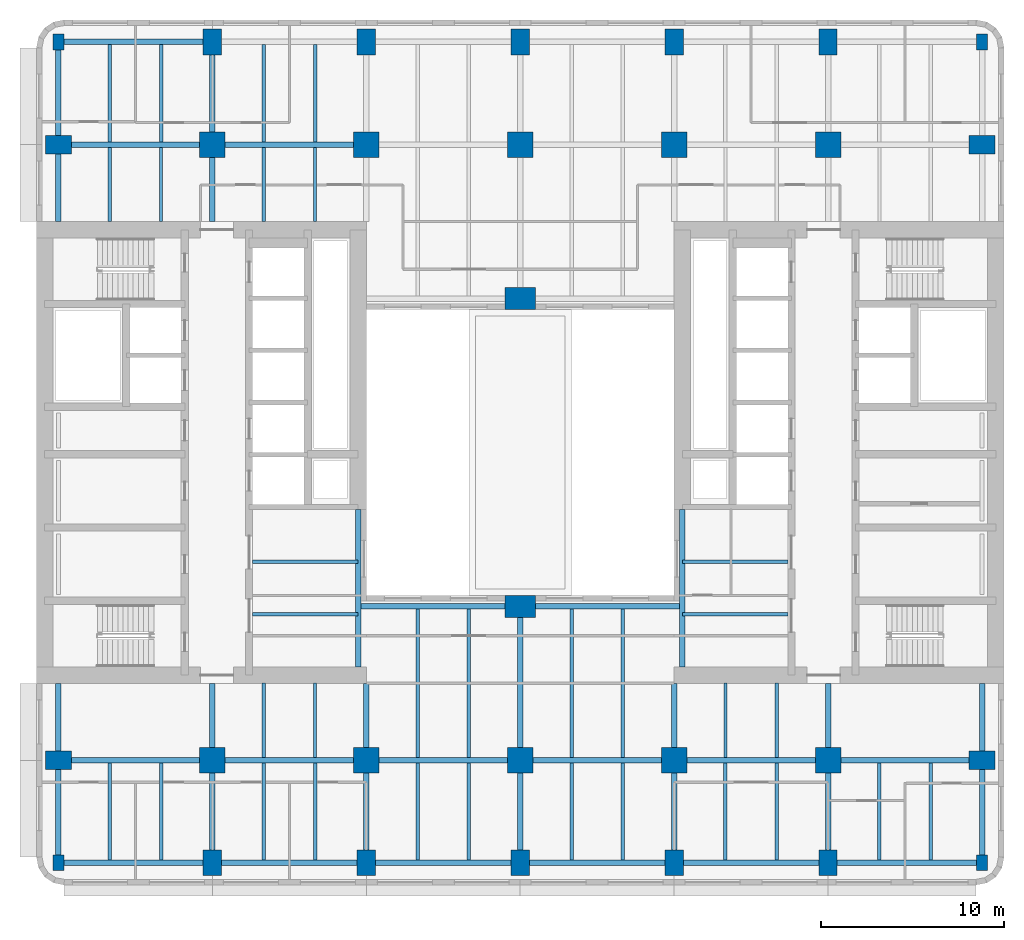
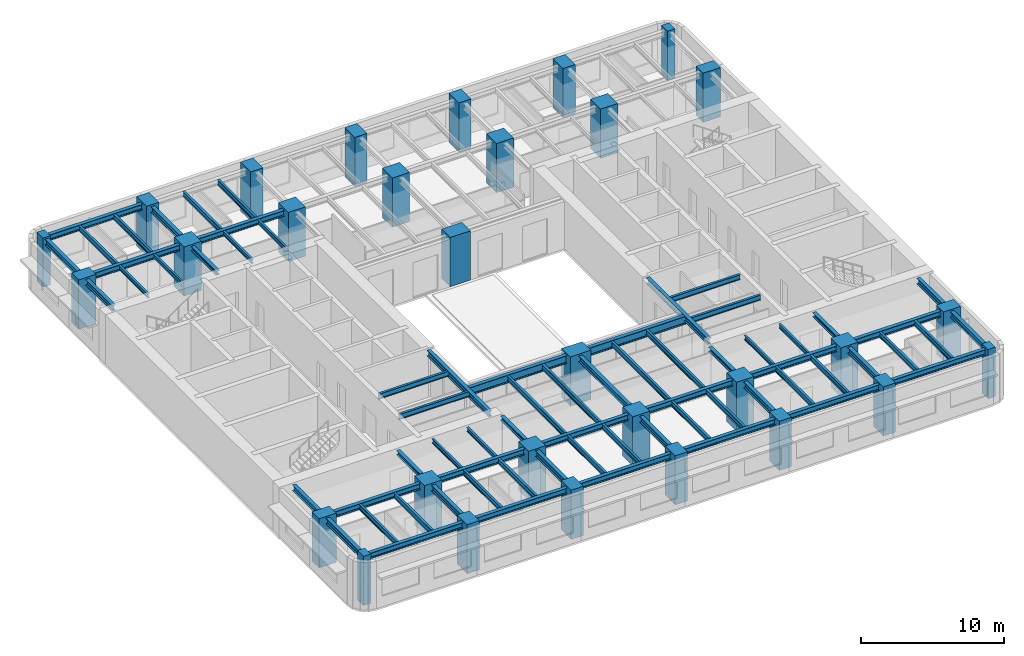
# One storey, part 1 of 14: 69 beams, 30 columns.
"""IFC4 building model written with IfcOpenShell, lengths in metres."""

from ifc_helpers import new_model, si_unit, direction, frame, origin, origin_2d, place, context, subcontext, project, spatial, rectangle, i_section, extrude, material, material_profile, profile_set, type_object, element, save


model = new_model("IFC4")

# Units and contexts
model_context = context("Model", 3, precision=1e-05, world=origin(), true_north=direction((0.0, 1.0)))
body_context = subcontext(model_context, "Body", "Model", "MODEL_VIEW")
ifc_project = project(units=[si_unit("LENGTHUNIT", "METRE"), si_unit("AREAUNIT", "SQUARE_METRE"), si_unit("VOLUMEUNIT", "CUBIC_METRE"), si_unit("PLANEANGLEUNIT", "RADIAN"), si_unit("MASSUNIT", "GRAM", prefix="KILO")], contexts=[model_context])

# Site, building, storey
site_placement = place(None, origin())
site = spatial("IfcSite", under=ifc_project, at=site_placement, CompositionType="ELEMENT")
building_placement = place(site_placement, origin())
building = spatial("IfcBuilding", under=site, at=building_placement, Name="Claustro Exchange Tower", CompositionType="ELEMENT")
storey_placement = place(building_placement, frame((0.0, 0.0, 100.800048828125)))
storey = spatial("IfcBuildingStorey", under=building, at=storey_placement, Name="L22", CompositionType="ELEMENT", Elevation=100.800048828125)

# Columns
ifc_material_1 = material(Name="Concrete HA-70 (C70/85)", Category="concrete")
ifc_material_profile_1 = material_profile(ifc_material_1, rectangle(XDim=1.39990234375, YDim=1.39990234375, at=origin_2d()), Name="RC 1400x1400")
ifc_profile_set_1 = profile_set([ifc_material_profile_1], Name="Concrete HA-70 (C70/85)")
column_type_1 = type_object("IfcColumnType", Name="C0 RC 1400x1400 HA-70 column", PredefinedType="COLUMN", material=ifc_profile_set_1)
for number, where, z_axis, x_axis, name in (
    (1, (8.39990234375, 8.39990234375, 0.0), (0.0, 0.0, 1.0), (1.0, 0.0, 0.0), "Column C0 2/B L22"),
    (2, (8.39990234375, 42.0, 0.0), (0.0, 0.0, 1.0), (1.0, 0.0, 0.0), "Column C0 2/F L22"),
    (3, (16.800048828125, 8.39990234375, 0.0), (0.0, 0.0, 1.0), (1.0, 0.0, 0.0), "Column C0 3/B L22"),
    (4, (16.800048828125, 42.0, 0.0), (0.0, 0.0, 1.0), (1.0, 0.0, 0.0), "Column C0 3/F L22"),
    (5, (25.199951171875, 8.39990234375, 0.0), (0.0, 0.0, 1.0), (1.0, 0.0, 0.0), "Column C0 4/B L22"),
    (6, (25.199951171875, 42.0, 0.0), (0.0, 0.0, 1.0), (1.0, 0.0, 0.0), "Column C0 4/F L22"),
    (7, (33.60009765625, 8.39990234375, 0.0), (0.0, 0.0, 1.0), (1.0, 0.0, 0.0), "Column C0 5/B L22"),
    (8, (33.60009765625, 42.0, 0.0), (0.0, 0.0, 1.0), (1.0, 0.0, 0.0), "Column C0 5/F L22"),
    (9, (42.0, 8.39990234375, 0.0), (0.0, 0.0, 1.0), (1.0, 0.0, 0.0), "Column C0 6/B L22"),
    (10, (42.0, 42.0, 0.0), (0.0, 0.0, 1.0), (1.0, 0.0, 0.0), "Column C0 6/F L22"),
):
    element("IfcColumn", number, at=place(storey_placement, frame(where, z_axis=z_axis, x_axis=x_axis)), inside=storey, type_object=column_type_1, Name=name, PredefinedType="COLUMN", context=body_context, shape_type="SweptSolid", body=[
        extrude(rectangle(XDim=1.39990234375, YDim=1.39990234375, at=origin_2d()), origin(), (0.0, 0.0, 1.0), 4.199951171875),
    ])
ifc_material_2 = material(Name="Concrete HA-70 (C70/85)", Category="concrete")
ifc_material_profile_2 = material_profile(ifc_material_2, rectangle(XDim=1.0, YDim=1.39990234375, at=origin_2d()), Name="RC 1000x1400")
ifc_profile_set_2 = profile_set([ifc_material_profile_2], Name="Concrete HA-70 (C70/85)")
column_type_2 = type_object("IfcColumnType", Name="C22 RC 1000x1400 HA-70 perimeter column", PredefinedType="COLUMN", material=ifc_profile_set_2)
for number, where, z_axis, x_axis, name in (
    (11, (0.0, 8.39990234375, 0.0), (0.0, 0.0, 1.0), (0.0, 1.0, 0.0), "Column C22 1/B L22"),
    (12, (0.0, 42.0, 0.0), (0.0, 0.0, 1.0), (0.0, 1.0, 0.0), "Column C22 1/F L22"),
    (13, (8.39990234375, 2.800048828125, 0.0), (0.0, 0.0, 1.0), (1.0, 0.0, 0.0), "Column C22 2/A+2800 L22"),
    (14, (8.39990234375, 47.60009765625, 0.0), (0.0, 0.0, 1.0), (1.0, 0.0, 0.0), "Column C22 2/F+5600 L22"),
    (15, (16.800048828125, 2.800048828125, 0.0), (0.0, 0.0, 1.0), (1.0, 0.0, 0.0), "Column C22 3/A+2800 L22"),
    (16, (16.800048828125, 47.60009765625, 0.0), (0.0, 0.0, 1.0), (1.0, 0.0, 0.0), "Column C22 3/F+5600 L22"),
    (17, (25.199951171875, 2.800048828125, 0.0), (0.0, 0.0, 1.0), (1.0, 0.0, 0.0), "Column C22 4/A+2800 L22"),
    (18, (25.199951171875, 47.60009765625, 0.0), (0.0, 0.0, 1.0), (1.0, 0.0, 0.0), "Column C22 4/F+5600 L22"),
    (19, (33.60009765625, 2.800048828125, 0.0), (0.0, 0.0, 1.0), (1.0, 0.0, 0.0), "Column C22 5/A+2800 L22"),
    (20, (33.60009765625, 47.60009765625, 0.0), (0.0, 0.0, 1.0), (1.0, 0.0, 0.0), "Column C22 5/F+5600 L22"),
    (21, (42.0, 2.800048828125, 0.0), (0.0, 0.0, 1.0), (1.0, 0.0, 0.0), "Column C22 6/A+2800 L22"),
    (22, (42.0, 47.60009765625, 0.0), (0.0, 0.0, 1.0), (1.0, 0.0, 0.0), "Column C22 6/F+5600 L22"),
    (23, (50.39990234375, 8.39990234375, 0.0), (0.0, 0.0, 1.0), (0.0, 1.0, 0.0), "Column C22 7/B L22"),
    (24, (50.39990234375, 42.0, 0.0), (0.0, 0.0, 1.0), (0.0, 1.0, 0.0), "Column C22 7/F L22"),
):
    element("IfcColumn", number, at=place(storey_placement, frame(where, z_axis=z_axis, x_axis=x_axis)), inside=storey, type_object=column_type_2, Name=name, PredefinedType="COLUMN", context=body_context, shape_type="SweptSolid", body=[
        extrude(rectangle(XDim=1.0, YDim=1.39990234375, at=origin_2d()), origin(), (0.0, 0.0, 1.0), 4.199951171875),
    ])
ifc_material_3 = material(Name="Concrete HA-50 (C50/60)", Category="concrete")
ifc_material_profile_3 = material_profile(ifc_material_3, rectangle(XDim=0.60009765625, YDim=0.85009765625, at=origin_2d()), Name="RC 600x850")
ifc_profile_set_3 = profile_set([ifc_material_profile_3], Name="Concrete HA-50 (C50/60)")
column_type_3 = type_object("IfcColumnType", Name="C25 RC 600x850 HA-50 corner column", PredefinedType="COLUMN", material=ifc_profile_set_3)
for number, where, z_axis, x_axis, name in (
    (25, (0.0, 2.800048828125, 0.0), (0.0, 0.0, 1.0), (1.0, 0.0, 0.0), "Column C25 1/A+2800 L22"),
    (26, (0.0, 47.60009765625, 0.0), (0.0, 0.0, 1.0), (1.0, 0.0, 0.0), "Column C25 1/F+5600 L22"),
    (27, (50.39990234375, 2.800048828125, 0.0), (0.0, 0.0, 1.0), (1.0, 0.0, 0.0), "Column C25 7/A+2800 L22"),
    (28, (50.39990234375, 47.60009765625, 0.0), (0.0, 0.0, 1.0), (1.0, 0.0, 0.0), "Column C25 7/F+5600 L22"),
):
    element("IfcColumn", number, at=place(storey_placement, frame(where, z_axis=z_axis, x_axis=x_axis)), inside=storey, type_object=column_type_3, Name=name, PredefinedType="COLUMN", context=body_context, shape_type="SweptSolid", body=[
        extrude(rectangle(XDim=0.60009765625, YDim=0.85009765625, at=origin_2d()), origin(), (0.0, 0.0, 1.0), 4.199951171875),
    ])
ifc_material_4 = material(Name="Concrete HA-70 (C70/85)", Category="concrete")
ifc_material_profile_4 = material_profile(ifc_material_4, rectangle(XDim=1.64990234375, YDim=1.199951171875, at=origin_2d()), Name="RC 1650x1200")
ifc_profile_set_4 = profile_set([ifc_material_profile_4], Name="Concrete HA-70 (C70/85)")
column_type_4 = type_object("IfcColumnType", Name="C32 RC 1650x1200 HA-70 light well column", PredefinedType="COLUMN", material=ifc_profile_set_4)
for number, where, z_axis, x_axis, name in (
    (29, (25.199951171875, 16.800048828125, 0.0), (0.0, 0.0, 1.0), (1.0, 0.0, 0.0), "Column C32 4/C L22"),
    (30, (25.199951171875, 33.60009765625, 0.0), (0.0, 0.0, 1.0), (1.0, 0.0, 0.0), "Column C32 4/E L22"),
):
    element("IfcColumn", number, at=place(storey_placement, frame(where, z_axis=z_axis, x_axis=x_axis)), inside=storey, type_object=column_type_4, Name=name, PredefinedType="COLUMN", context=body_context, shape_type="SweptSolid", body=[
        extrude(rectangle(XDim=1.64990234375, YDim=1.199951171875, at=origin_2d()), origin(), (0.0, 0.0, 1.0), 4.199951171875),
    ])

# Beams
ifc_material_5 = material(Name="Steel S355", Category="steel")
ifc_material_profile_5 = material_profile(ifc_material_5, i_section(OverallWidth=0.300048828125, OverallDepth=0.68994140625, WebThickness=0.014404296875, FlangeThickness=0.027099609375, FilletRadius=0.027099609375, at=origin_2d()), Name="HE 700 A")
ifc_profile_set_5 = profile_set([ifc_material_profile_5], Name="Steel S355")
beam_type_1 = type_object("IfcBeamType", Name="B13 HE 700 A light well edge girder", PredefinedType="BEAM", material=ifc_profile_set_5)
beam_1_placement = place(storey_placement, frame((16.35009765625, 16.800048828125, 3.704833984375), z_axis=(1.0, 0.0, 0.0), x_axis=(0.0, 1.0, 0.0)))
element("IfcBeam", 31, at=beam_1_placement, inside=storey, type_object=beam_type_1, Name="Beam B13 L23", PredefinedType="BEAM", context=body_context, shape_type="SweptSolid", body=[
    extrude(i_section(OverallWidth=0.300048828125, OverallDepth=0.68994140625, WebThickness=0.014404296875, FlangeThickness=0.027099609375, FilletRadius=0.027099609375, at=origin_2d()), origin(), (0.0, 0.0, 1.0), 8.849853515625),
])
beam_2_placement = place(storey_placement, frame((25.199951171875, 16.800048828125, 3.704833984375), z_axis=(1.0, 0.0, 0.0), x_axis=(0.0, 1.0, 0.0)))
element("IfcBeam", 32, at=beam_2_placement, inside=storey, type_object=beam_type_1, Name="Beam B13 L23", PredefinedType="BEAM", context=body_context, shape_type="SweptSolid", body=[
    extrude(i_section(OverallWidth=0.300048828125, OverallDepth=0.68994140625, WebThickness=0.014404296875, FlangeThickness=0.027099609375, FilletRadius=0.027099609375, at=origin_2d()), origin(), (0.0, 0.0, 1.0), 8.85009765625),
])
ifc_material_6 = material(Name="Steel S355", Category="steel")
ifc_material_profile_6 = material_profile(ifc_material_6, i_section(OverallWidth=0.169921875, OverallDepth=0.360107421875, WebThickness=0.008056640625, FlangeThickness=0.0126953125, FilletRadius=0.01806640625, at=origin_2d()), Name="IPE 360")
ifc_profile_set_6 = profile_set([ifc_material_profile_6], Name="Steel S355")
beam_type_2 = type_object("IfcBeamType", Name="B16 IPE 360 short-span beam", PredefinedType="BEAM", material=ifc_profile_set_6)
for number, where, z_axis, x_axis, name in (
    (33, (2.800048828125, 37.7900390625, 3.869873046875), (0.0, 1.0, 0.0), (-1.0, 0.0, 0.0), "Beam B16 L23"),
    (34, (5.60009765625, 37.7900390625, 3.869873046875), (0.0, 1.0, 0.0), (-1.0, 0.0, 0.0), "Beam B16 L23"),
    (35, (11.199951171875, 8.550048828125, 3.869873046875), (0.0, 1.0, 0.0), (-1.0, 0.0, 0.0), "Beam B16 L23"),
    (36, (14.0, 8.550048828125, 3.869873046875), (0.0, 1.0, 0.0), (-1.0, 0.0, 0.0), "Beam B16 L23"),
    (37, (11.199951171875, 37.7900390625, 3.869873046875), (0.0, 1.0, 0.0), (-1.0, 0.0, 0.0), "Beam B16 L23"),
    (38, (14.0, 37.7900390625, 3.869873046875), (0.0, 1.0, 0.0), (-1.0, 0.0, 0.0), "Beam B16 L23"),
    (39, (36.39990234375, 8.550048828125, 3.869873046875), (0.0, 1.0, 0.0), (-1.0, 0.0, 0.0), "Beam B16 L23"),
    (40, (39.199951171875, 8.550048828125, 3.869873046875), (0.0, 1.0, 0.0), (-1.0, 0.0, 0.0), "Beam B16 L23"),
):
    element("IfcBeam", number, at=place(storey_placement, frame(where, z_axis=z_axis, x_axis=x_axis)), inside=storey, type_object=beam_type_2, Name=name, PredefinedType="BEAM", context=body_context, shape_type="SweptSolid", body=[
        extrude(i_section(OverallWidth=0.169921875, OverallDepth=0.360107421875, WebThickness=0.008056640625, FlangeThickness=0.0126953125, FilletRadius=0.01806640625, at=origin_2d()), origin(), (0.0, 0.0, 1.0), 4.06005859375),
    ])
ifc_material_7 = material(Name="Steel S355", Category="steel")
ifc_material_profile_7 = material_profile(ifc_material_7, i_section(OverallWidth=0.300048828125, OverallDepth=0.360107421875, WebThickness=0.012451171875, FlangeThickness=0.0224609375, FilletRadius=0.027099609375, at=origin_2d()), Name="HE 360 B")
ifc_profile_set_7 = profile_set([ifc_material_profile_7], Name="Steel S355")
beam_type_3 = type_object("IfcBeamType", Name="B29 HE 360 B column to core link beam", PredefinedType="BEAM", material=ifc_profile_set_7)
beam_3_placement = place(storey_placement, frame((8.39990234375, 8.39990234375, 3.869873046875), z_axis=(0.0, 1.0, 0.0), x_axis=(-1.0, 0.0, 0.0)))
element("IfcBeam", 41, at=beam_3_placement, inside=storey, type_object=beam_type_3, Name="Beam B29 L23", PredefinedType="BEAM", context=body_context, shape_type="SweptSolid", body=[
    extrude(i_section(OverallWidth=0.300048828125, OverallDepth=0.360107421875, WebThickness=0.012451171875, FlangeThickness=0.0224609375, FilletRadius=0.027099609375, at=origin_2d()), origin(), (0.0, 0.0, 1.0), 4.2001953125),
])
beam_4_placement = place(storey_placement, frame((8.39990234375, 37.800048828125, 3.869873046875), z_axis=(0.0, 1.0, 0.0), x_axis=(-1.0, 0.0, 0.0)))
element("IfcBeam", 42, at=beam_4_placement, inside=storey, type_object=beam_type_3, Name="Beam B29 L23", PredefinedType="BEAM", context=body_context, shape_type="SweptSolid", body=[
    extrude(i_section(OverallWidth=0.300048828125, OverallDepth=0.360107421875, WebThickness=0.012451171875, FlangeThickness=0.0224609375, FilletRadius=0.027099609375, at=origin_2d()), origin(), (0.0, 0.0, 1.0), 4.199951171875),
])
for number, where, z_axis, x_axis, name in (
    (43, (16.800048828125, 8.39990234375, 3.869873046875), (0.0, 1.0, 0.0), (-1.0, 0.0, 0.0), "Beam B29 L23"),
    (44, (33.60009765625, 8.39990234375, 3.869873046875), (0.0, 1.0, 0.0), (-1.0, 0.0, 0.0), "Beam B29 L23"),
    (45, (42.0, 8.39990234375, 3.869873046875), (0.0, 1.0, 0.0), (-1.0, 0.0, 0.0), "Beam B29 L23"),
):
    element("IfcBeam", number, at=place(storey_placement, frame(where, z_axis=z_axis, x_axis=x_axis)), inside=storey, type_object=beam_type_3, Name=name, PredefinedType="BEAM", context=body_context, shape_type="SweptSolid", body=[
        extrude(i_section(OverallWidth=0.300048828125, OverallDepth=0.360107421875, WebThickness=0.012451171875, FlangeThickness=0.0224609375, FilletRadius=0.027099609375, at=origin_2d()), origin(), (0.0, 0.0, 1.0), 4.2001953125),
    ])
ifc_material_8 = material(Name="Steel S355", Category="steel")
ifc_material_profile_8 = material_profile(ifc_material_8, i_section(OverallWidth=0.300048828125, OverallDepth=0.5, WebThickness=0.014404296875, FlangeThickness=0.028076171875, FilletRadius=0.027099609375, at=origin_2d()), Name="HE 500 B")
ifc_profile_set_8 = profile_set([ifc_material_profile_8], Name="Steel S355")
beam_type_4 = type_object("IfcBeamType", Name="B7 HE 500 B floor girder", PredefinedType="BEAM", material=ifc_profile_set_8)
beam_5_placement = place(storey_placement, frame((8.39990234375, 2.800048828125, 3.800048828125), z_axis=(0.0, 1.0, 0.0), x_axis=(-1.0, 0.0, 0.0)))
element("IfcBeam", 46, at=beam_5_placement, inside=storey, type_object=beam_type_4, Name="Beam B7 L23", PredefinedType="BEAM", context=body_context, shape_type="SweptSolid", body=[
    extrude(i_section(OverallWidth=0.300048828125, OverallDepth=0.5, WebThickness=0.014404296875, FlangeThickness=0.028076171875, FilletRadius=0.027099609375, at=origin_2d()), origin(), (0.0, 0.0, 1.0), 5.599853515625),
])
beam_6_placement = place(storey_placement, frame((8.39990234375, 42.0, 3.800048828125), z_axis=(0.0, 1.0, 0.0), x_axis=(-1.0, 0.0, 0.0)))
element("IfcBeam", 47, at=beam_6_placement, inside=storey, type_object=beam_type_4, Name="Beam B7 L23", PredefinedType="BEAM", context=body_context, shape_type="SweptSolid", body=[
    extrude(i_section(OverallWidth=0.300048828125, OverallDepth=0.5, WebThickness=0.014404296875, FlangeThickness=0.028076171875, FilletRadius=0.027099609375, at=origin_2d()), origin(), (0.0, 0.0, 1.0), 5.60009765625),
])
for number, where, z_axis, x_axis, name in (
    (48, (16.800048828125, 2.800048828125, 3.800048828125), (0.0, 1.0, 0.0), (-1.0, 0.0, 0.0), "Beam B7 L23"),
    (49, (25.199951171875, 2.800048828125, 3.800048828125), (0.0, 1.0, 0.0), (-1.0, 0.0, 0.0), "Beam B7 L23"),
):
    element("IfcBeam", number, at=place(storey_placement, frame(where, z_axis=z_axis, x_axis=x_axis)), inside=storey, type_object=beam_type_4, Name=name, PredefinedType="BEAM", context=body_context, shape_type="SweptSolid", body=[
        extrude(i_section(OverallWidth=0.300048828125, OverallDepth=0.5, WebThickness=0.014404296875, FlangeThickness=0.028076171875, FilletRadius=0.027099609375, at=origin_2d()), origin(), (0.0, 0.0, 1.0), 5.599853515625),
    ])
beam_7_placement = place(storey_placement, frame((25.199951171875, 8.39990234375, 3.800048828125), z_axis=(0.0, 1.0, 0.0), x_axis=(-1.0, 0.0, 0.0)))
element("IfcBeam", 50, at=beam_7_placement, inside=storey, type_object=beam_type_4, Name="Beam B7 L23", PredefinedType="BEAM", context=body_context, shape_type="SweptSolid", body=[
    extrude(i_section(OverallWidth=0.300048828125, OverallDepth=0.5, WebThickness=0.014404296875, FlangeThickness=0.028076171875, FilletRadius=0.027099609375, at=origin_2d()), origin(), (0.0, 0.0, 1.0), 8.400146484375),
])
for number, where, z_axis, x_axis, name in (
    (51, (33.60009765625, 2.800048828125, 3.800048828125), (0.0, 1.0, 0.0), (-1.0, 0.0, 0.0), "Beam B7 L23"),
    (52, (42.0, 2.800048828125, 3.800048828125), (0.0, 1.0, 0.0), (-1.0, 0.0, 0.0), "Beam B7 L23"),
):
    element("IfcBeam", number, at=place(storey_placement, frame(where, z_axis=z_axis, x_axis=x_axis)), inside=storey, type_object=beam_type_4, Name=name, PredefinedType="BEAM", context=body_context, shape_type="SweptSolid", body=[
        extrude(i_section(OverallWidth=0.300048828125, OverallDepth=0.5, WebThickness=0.014404296875, FlangeThickness=0.028076171875, FilletRadius=0.027099609375, at=origin_2d()), origin(), (0.0, 0.0, 1.0), 5.599853515625),
    ])
beam_8_placement = place(storey_placement, frame((0.0, 8.39990234375, 3.800048828125), z_axis=(1.0, 0.0, 0.0), x_axis=(0.0, 1.0, 0.0)))
element("IfcBeam", 53, at=beam_8_placement, inside=storey, type_object=beam_type_4, Name="Beam B7 L23", PredefinedType="BEAM", context=body_context, shape_type="SweptSolid", body=[
    extrude(i_section(OverallWidth=0.300048828125, OverallDepth=0.5, WebThickness=0.014404296875, FlangeThickness=0.028076171875, FilletRadius=0.027099609375, at=origin_2d()), origin(), (0.0, 0.0, 1.0), 8.39990234375),
])
beam_9_placement = place(storey_placement, frame((8.39990234375, 8.39990234375, 3.800048828125), z_axis=(1.0, 0.0, 0.0), x_axis=(0.0, 1.0, 0.0)))
element("IfcBeam", 54, at=beam_9_placement, inside=storey, type_object=beam_type_4, Name="Beam B7 L23", PredefinedType="BEAM", context=body_context, shape_type="SweptSolid", body=[
    extrude(i_section(OverallWidth=0.300048828125, OverallDepth=0.5, WebThickness=0.014404296875, FlangeThickness=0.028076171875, FilletRadius=0.027099609375, at=origin_2d()), origin(), (0.0, 0.0, 1.0), 8.400146484375),
])
beam_10_placement = place(storey_placement, frame((16.800048828125, 8.39990234375, 3.800048828125), z_axis=(1.0, 0.0, 0.0), x_axis=(0.0, 1.0, 0.0)))
element("IfcBeam", 55, at=beam_10_placement, inside=storey, type_object=beam_type_4, Name="Beam B7 L23", PredefinedType="BEAM", context=body_context, shape_type="SweptSolid", body=[
    extrude(i_section(OverallWidth=0.300048828125, OverallDepth=0.5, WebThickness=0.014404296875, FlangeThickness=0.028076171875, FilletRadius=0.027099609375, at=origin_2d()), origin(), (0.0, 0.0, 1.0), 8.39990234375),
])
beam_11_placement = place(storey_placement, frame((25.199951171875, 8.39990234375, 3.800048828125), z_axis=(1.0, 0.0, 0.0), x_axis=(0.0, 1.0, 0.0)))
element("IfcBeam", 56, at=beam_11_placement, inside=storey, type_object=beam_type_4, Name="Beam B7 L23", PredefinedType="BEAM", context=body_context, shape_type="SweptSolid", body=[
    extrude(i_section(OverallWidth=0.300048828125, OverallDepth=0.5, WebThickness=0.014404296875, FlangeThickness=0.028076171875, FilletRadius=0.027099609375, at=origin_2d()), origin(), (0.0, 0.0, 1.0), 8.400146484375),
])
for number, where, z_axis, x_axis, name in (
    (57, (33.60009765625, 8.39990234375, 3.800048828125), (1.0, 0.0, 0.0), (0.0, 1.0, 0.0), "Beam B7 L23"),
    (58, (42.0, 8.39990234375, 3.800048828125), (1.0, 0.0, 0.0), (0.0, 1.0, 0.0), "Beam B7 L23"),
    (59, (0.0, 42.0, 3.800048828125), (1.0, 0.0, 0.0), (0.0, 1.0, 0.0), "Beam B7 L23"),
):
    element("IfcBeam", number, at=place(storey_placement, frame(where, z_axis=z_axis, x_axis=x_axis)), inside=storey, type_object=beam_type_4, Name=name, PredefinedType="BEAM", context=body_context, shape_type="SweptSolid", body=[
        extrude(i_section(OverallWidth=0.300048828125, OverallDepth=0.5, WebThickness=0.014404296875, FlangeThickness=0.028076171875, FilletRadius=0.027099609375, at=origin_2d()), origin(), (0.0, 0.0, 1.0), 8.39990234375),
    ])
beam_12_placement = place(storey_placement, frame((8.39990234375, 42.0, 3.800048828125), z_axis=(1.0, 0.0, 0.0), x_axis=(0.0, 1.0, 0.0)))
element("IfcBeam", 60, at=beam_12_placement, inside=storey, type_object=beam_type_4, Name="Beam B7 L23", PredefinedType="BEAM", context=body_context, shape_type="SweptSolid", body=[
    extrude(i_section(OverallWidth=0.300048828125, OverallDepth=0.5, WebThickness=0.014404296875, FlangeThickness=0.028076171875, FilletRadius=0.027099609375, at=origin_2d()), origin(), (0.0, 0.0, 1.0), 8.400146484375),
])
for number, where, z_axis, x_axis, name in (
    (61, (16.35009765625, 13.5, 3.800048828125), (0.0, 1.0, 0.0), (-1.0, 0.0, 0.0), "Beam B7 core step framing L23"),
    (62, (34.050048828125, 13.5, 3.800048828125), (0.0, 1.0, 0.0), (-1.0, 0.0, 0.0), "Beam B7 core step framing L23"),
):
    element("IfcBeam", number, at=place(storey_placement, frame(where, z_axis=z_axis, x_axis=x_axis)), inside=storey, type_object=beam_type_4, Name=name, PredefinedType="BEAM", context=body_context, shape_type="SweptSolid", body=[
        extrude(i_section(OverallWidth=0.300048828125, OverallDepth=0.5, WebThickness=0.014404296875, FlangeThickness=0.028076171875, FilletRadius=0.027099609375, at=origin_2d()), origin(), (0.0, 0.0, 1.0), 8.60009765625),
    ])
ifc_material_9 = material(Name="Steel S355", Category="steel")
ifc_material_profile_9 = material_profile(ifc_material_9, i_section(OverallWidth=0.18994140625, OverallDepth=0.449951171875, WebThickness=0.009521484375, FlangeThickness=0.0146484375, FilletRadius=0.02099609375, at=origin_2d()), Name="IPE 450")
ifc_profile_set_9 = profile_set([ifc_material_profile_9], Name="Steel S355")
beam_type_5 = type_object("IfcBeamType", Name="B8 IPE 450 secondary beam", PredefinedType="BEAM", material=ifc_profile_set_9)
for number, where, z_axis, x_axis, name in (
    (63, (2.800048828125, 2.949951171875, 3.824951171875), (0.0, 1.0, 0.0), (-1.0, 0.0, 0.0), "Beam B8 L23"),
    (64, (5.60009765625, 2.949951171875, 3.824951171875), (0.0, 1.0, 0.0), (-1.0, 0.0, 0.0), "Beam B8 L23"),
    (65, (2.800048828125, 42.14990234375, 3.824951171875), (0.0, 1.0, 0.0), (-1.0, 0.0, 0.0), "Beam B8 L23"),
    (66, (5.60009765625, 42.14990234375, 3.824951171875), (0.0, 1.0, 0.0), (-1.0, 0.0, 0.0), "Beam B8 L23"),
    (67, (11.199951171875, 2.949951171875, 3.824951171875), (0.0, 1.0, 0.0), (-1.0, 0.0, 0.0), "Beam B8 L23"),
    (68, (14.0, 2.949951171875, 3.824951171875), (0.0, 1.0, 0.0), (-1.0, 0.0, 0.0), "Beam B8 L23"),
    (69, (11.199951171875, 42.14990234375, 3.824951171875), (0.0, 1.0, 0.0), (-1.0, 0.0, 0.0), "Beam B8 L23"),
    (70, (14.0, 42.14990234375, 3.824951171875), (0.0, 1.0, 0.0), (-1.0, 0.0, 0.0), "Beam B8 L23"),
    (71, (19.60009765625, 2.949951171875, 3.824951171875), (0.0, 1.0, 0.0), (-1.0, 0.0, 0.0), "Beam B8 L23"),
    (72, (22.39990234375, 2.949951171875, 3.824951171875), (0.0, 1.0, 0.0), (-1.0, 0.0, 0.0), "Beam B8 L23"),
):
    element("IfcBeam", number, at=place(storey_placement, frame(where, z_axis=z_axis, x_axis=x_axis)), inside=storey, type_object=beam_type_5, Name=name, PredefinedType="BEAM", context=body_context, shape_type="SweptSolid", body=[
        extrude(i_section(OverallWidth=0.18994140625, OverallDepth=0.449951171875, WebThickness=0.009521484375, FlangeThickness=0.0146484375, FilletRadius=0.02099609375, at=origin_2d()), origin(), (0.0, 0.0, 1.0), 5.300048828125),
    ])
for number, where, z_axis, x_axis, name in (
    (73, (19.60009765625, 8.550048828125, 3.824951171875), (0.0, 1.0, 0.0), (-1.0, 0.0, 0.0), "Beam B8 L23"),
    (74, (22.39990234375, 8.550048828125, 3.824951171875), (0.0, 1.0, 0.0), (-1.0, 0.0, 0.0), "Beam B8 L23"),
):
    element("IfcBeam", number, at=place(storey_placement, frame(where, z_axis=z_axis, x_axis=x_axis)), inside=storey, type_object=beam_type_5, Name=name, PredefinedType="BEAM", context=body_context, shape_type="SweptSolid", body=[
        extrude(i_section(OverallWidth=0.18994140625, OverallDepth=0.449951171875, WebThickness=0.009521484375, FlangeThickness=0.0146484375, FilletRadius=0.02099609375, at=origin_2d()), origin(), (0.0, 0.0, 1.0), 8.099853515625),
    ])
for number, where, z_axis, x_axis, name in (
    (75, (28.0, 2.949951171875, 3.824951171875), (0.0, 1.0, 0.0), (-1.0, 0.0, 0.0), "Beam B8 L23"),
    (76, (30.800048828125, 2.949951171875, 3.824951171875), (0.0, 1.0, 0.0), (-1.0, 0.0, 0.0), "Beam B8 L23"),
):
    element("IfcBeam", number, at=place(storey_placement, frame(where, z_axis=z_axis, x_axis=x_axis)), inside=storey, type_object=beam_type_5, Name=name, PredefinedType="BEAM", context=body_context, shape_type="SweptSolid", body=[
        extrude(i_section(OverallWidth=0.18994140625, OverallDepth=0.449951171875, WebThickness=0.009521484375, FlangeThickness=0.0146484375, FilletRadius=0.02099609375, at=origin_2d()), origin(), (0.0, 0.0, 1.0), 5.300048828125),
    ])
for number, where, z_axis, x_axis, name in (
    (77, (28.0, 8.550048828125, 3.824951171875), (0.0, 1.0, 0.0), (-1.0, 0.0, 0.0), "Beam B8 L23"),
    (78, (30.800048828125, 8.550048828125, 3.824951171875), (0.0, 1.0, 0.0), (-1.0, 0.0, 0.0), "Beam B8 L23"),
):
    element("IfcBeam", number, at=place(storey_placement, frame(where, z_axis=z_axis, x_axis=x_axis)), inside=storey, type_object=beam_type_5, Name=name, PredefinedType="BEAM", context=body_context, shape_type="SweptSolid", body=[
        extrude(i_section(OverallWidth=0.18994140625, OverallDepth=0.449951171875, WebThickness=0.009521484375, FlangeThickness=0.0146484375, FilletRadius=0.02099609375, at=origin_2d()), origin(), (0.0, 0.0, 1.0), 8.099853515625),
    ])
for number, where, z_axis, x_axis, name in (
    (79, (36.39990234375, 2.949951171875, 3.824951171875), (0.0, 1.0, 0.0), (-1.0, 0.0, 0.0), "Beam B8 L23"),
    (80, (39.199951171875, 2.949951171875, 3.824951171875), (0.0, 1.0, 0.0), (-1.0, 0.0, 0.0), "Beam B8 L23"),
    (81, (44.800048828125, 2.949951171875, 3.824951171875), (0.0, 1.0, 0.0), (-1.0, 0.0, 0.0), "Beam B8 L23"),
    (82, (47.60009765625, 2.949951171875, 3.824951171875), (0.0, 1.0, 0.0), (-1.0, 0.0, 0.0), "Beam B8 L23"),
):
    element("IfcBeam", number, at=place(storey_placement, frame(where, z_axis=z_axis, x_axis=x_axis)), inside=storey, type_object=beam_type_5, Name=name, PredefinedType="BEAM", context=body_context, shape_type="SweptSolid", body=[
        extrude(i_section(OverallWidth=0.18994140625, OverallDepth=0.449951171875, WebThickness=0.009521484375, FlangeThickness=0.0146484375, FilletRadius=0.02099609375, at=origin_2d()), origin(), (0.0, 0.0, 1.0), 5.300048828125),
    ])
for number, where, z_axis, x_axis, name in (
    (83, (10.60009765625, 16.36669921875, 3.824951171875), (1.0, 0.0, 0.0), (0.0, 1.0, 0.0), "Beam B8 core step framing L23"),
    (84, (10.60009765625, 19.2333984375, 3.824951171875), (1.0, 0.0, 0.0), (0.0, 1.0, 0.0), "Beam B8 core step framing L23"),
    (85, (34.050048828125, 16.36669921875, 3.824951171875), (1.0, 0.0, 0.0), (0.0, 1.0, 0.0), "Beam B8 core step framing L23"),
    (86, (34.050048828125, 19.2333984375, 3.824951171875), (1.0, 0.0, 0.0), (0.0, 1.0, 0.0), "Beam B8 core step framing L23"),
):
    element("IfcBeam", number, at=place(storey_placement, frame(where, z_axis=z_axis, x_axis=x_axis)), inside=storey, type_object=beam_type_5, Name=name, PredefinedType="BEAM", context=body_context, shape_type="SweptSolid", body=[
        extrude(i_section(OverallWidth=0.18994140625, OverallDepth=0.449951171875, WebThickness=0.009521484375, FlangeThickness=0.0146484375, FilletRadius=0.02099609375, at=origin_2d()), origin(), (0.0, 0.0, 1.0), 5.75),
    ])
ifc_material_10 = material(Name="Steel S355", Category="steel")
ifc_material_profile_10 = material_profile(ifc_material_10, i_section(OverallWidth=0.300048828125, OverallDepth=0.489990234375, WebThickness=0.011962890625, FlangeThickness=0.02294921875, FilletRadius=0.027099609375, at=origin_2d()), Name="HE 500 A")
ifc_profile_set_10 = profile_set([ifc_material_profile_10], Name="Steel S355")
beam_type_6 = type_object("IfcBeamType", Name="B9 HE 500 A spandrel edge girder", PredefinedType="SPANDREL", material=ifc_profile_set_10)
beam_13_placement = place(storey_placement, frame((0.0, 2.800048828125, 3.804931640625), z_axis=(0.0, 1.0, 0.0), x_axis=(-1.0, 0.0, 0.0)))
element("IfcBeam", 87, at=beam_13_placement, inside=storey, type_object=beam_type_6, Name="Beam B9 L23", PredefinedType="SPANDREL", context=body_context, shape_type="SweptSolid", body=[
    extrude(i_section(OverallWidth=0.300048828125, OverallDepth=0.489990234375, WebThickness=0.011962890625, FlangeThickness=0.02294921875, FilletRadius=0.027099609375, at=origin_2d()), origin(), (0.0, 0.0, 1.0), 5.599853515625),
])
beam_14_placement = place(storey_placement, frame((0.0, 8.39990234375, 3.804931640625), z_axis=(0.0, 1.0, 0.0), x_axis=(-1.0, 0.0, 0.0)))
element("IfcBeam", 88, at=beam_14_placement, inside=storey, type_object=beam_type_6, Name="Beam B9 L23", PredefinedType="SPANDREL", context=body_context, shape_type="SweptSolid", body=[
    extrude(i_section(OverallWidth=0.300048828125, OverallDepth=0.489990234375, WebThickness=0.011962890625, FlangeThickness=0.02294921875, FilletRadius=0.027099609375, at=origin_2d()), origin(), (0.0, 0.0, 1.0), 4.2001953125),
])
beam_15_placement = place(storey_placement, frame((0.0, 37.800048828125, 3.804931640625), z_axis=(0.0, 1.0, 0.0), x_axis=(-1.0, 0.0, 0.0)))
element("IfcBeam", 89, at=beam_15_placement, inside=storey, type_object=beam_type_6, Name="Beam B9 L23", PredefinedType="SPANDREL", context=body_context, shape_type="SweptSolid", body=[
    extrude(i_section(OverallWidth=0.300048828125, OverallDepth=0.489990234375, WebThickness=0.011962890625, FlangeThickness=0.02294921875, FilletRadius=0.027099609375, at=origin_2d()), origin(), (0.0, 0.0, 1.0), 4.199951171875),
])
beam_16_placement = place(storey_placement, frame((0.0, 42.0, 3.804931640625), z_axis=(0.0, 1.0, 0.0), x_axis=(-1.0, 0.0, 0.0)))
element("IfcBeam", 90, at=beam_16_placement, inside=storey, type_object=beam_type_6, Name="Beam B9 L23", PredefinedType="SPANDREL", context=body_context, shape_type="SweptSolid", body=[
    extrude(i_section(OverallWidth=0.300048828125, OverallDepth=0.489990234375, WebThickness=0.011962890625, FlangeThickness=0.02294921875, FilletRadius=0.027099609375, at=origin_2d()), origin(), (0.0, 0.0, 1.0), 5.60009765625),
])
beam_17_placement = place(storey_placement, frame((50.39990234375, 2.800048828125, 3.804931640625), z_axis=(0.0, 1.0, 0.0), x_axis=(-1.0, 0.0, 0.0)))
element("IfcBeam", 91, at=beam_17_placement, inside=storey, type_object=beam_type_6, Name="Beam B9 L23", PredefinedType="SPANDREL", context=body_context, shape_type="SweptSolid", body=[
    extrude(i_section(OverallWidth=0.300048828125, OverallDepth=0.489990234375, WebThickness=0.011962890625, FlangeThickness=0.02294921875, FilletRadius=0.027099609375, at=origin_2d()), origin(), (0.0, 0.0, 1.0), 5.599853515625),
])
beam_18_placement = place(storey_placement, frame((50.39990234375, 8.39990234375, 3.804931640625), z_axis=(0.0, 1.0, 0.0), x_axis=(-1.0, 0.0, 0.0)))
element("IfcBeam", 92, at=beam_18_placement, inside=storey, type_object=beam_type_6, Name="Beam B9 L23", PredefinedType="SPANDREL", context=body_context, shape_type="SweptSolid", body=[
    extrude(i_section(OverallWidth=0.300048828125, OverallDepth=0.489990234375, WebThickness=0.011962890625, FlangeThickness=0.02294921875, FilletRadius=0.027099609375, at=origin_2d()), origin(), (0.0, 0.0, 1.0), 4.2001953125),
])
beam_19_placement = place(storey_placement, frame((0.0, 2.800048828125, 3.804931640625), z_axis=(1.0, 0.0, 0.0), x_axis=(0.0, 1.0, 0.0)))
element("IfcBeam", 93, at=beam_19_placement, inside=storey, type_object=beam_type_6, Name="Beam B9 L23", PredefinedType="SPANDREL", context=body_context, shape_type="SweptSolid", body=[
    extrude(i_section(OverallWidth=0.300048828125, OverallDepth=0.489990234375, WebThickness=0.011962890625, FlangeThickness=0.02294921875, FilletRadius=0.027099609375, at=origin_2d()), origin(), (0.0, 0.0, 1.0), 8.39990234375),
])
beam_20_placement = place(storey_placement, frame((8.39990234375, 2.800048828125, 3.804931640625), z_axis=(1.0, 0.0, 0.0), x_axis=(0.0, 1.0, 0.0)))
element("IfcBeam", 94, at=beam_20_placement, inside=storey, type_object=beam_type_6, Name="Beam B9 L23", PredefinedType="SPANDREL", context=body_context, shape_type="SweptSolid", body=[
    extrude(i_section(OverallWidth=0.300048828125, OverallDepth=0.489990234375, WebThickness=0.011962890625, FlangeThickness=0.02294921875, FilletRadius=0.027099609375, at=origin_2d()), origin(), (0.0, 0.0, 1.0), 8.400146484375),
])
beam_21_placement = place(storey_placement, frame((16.800048828125, 2.800048828125, 3.804931640625), z_axis=(1.0, 0.0, 0.0), x_axis=(0.0, 1.0, 0.0)))
element("IfcBeam", 95, at=beam_21_placement, inside=storey, type_object=beam_type_6, Name="Beam B9 L23", PredefinedType="SPANDREL", context=body_context, shape_type="SweptSolid", body=[
    extrude(i_section(OverallWidth=0.300048828125, OverallDepth=0.489990234375, WebThickness=0.011962890625, FlangeThickness=0.02294921875, FilletRadius=0.027099609375, at=origin_2d()), origin(), (0.0, 0.0, 1.0), 8.39990234375),
])
beam_22_placement = place(storey_placement, frame((25.199951171875, 2.800048828125, 3.804931640625), z_axis=(1.0, 0.0, 0.0), x_axis=(0.0, 1.0, 0.0)))
element("IfcBeam", 96, at=beam_22_placement, inside=storey, type_object=beam_type_6, Name="Beam B9 L23", PredefinedType="SPANDREL", context=body_context, shape_type="SweptSolid", body=[
    extrude(i_section(OverallWidth=0.300048828125, OverallDepth=0.489990234375, WebThickness=0.011962890625, FlangeThickness=0.02294921875, FilletRadius=0.027099609375, at=origin_2d()), origin(), (0.0, 0.0, 1.0), 8.400146484375),
])
for number, where, z_axis, x_axis, name in (
    (97, (33.60009765625, 2.800048828125, 3.804931640625), (1.0, 0.0, 0.0), (0.0, 1.0, 0.0), "Beam B9 L23"),
    (98, (42.0, 2.800048828125, 3.804931640625), (1.0, 0.0, 0.0), (0.0, 1.0, 0.0), "Beam B9 L23"),
    (99, (0.0, 47.60009765625, 3.804931640625), (1.0, 0.0, 0.0), (0.0, 1.0, 0.0), "Beam B9 L23"),
):
    element("IfcBeam", number, at=place(storey_placement, frame(where, z_axis=z_axis, x_axis=x_axis)), inside=storey, type_object=beam_type_6, Name=name, PredefinedType="SPANDREL", context=body_context, shape_type="SweptSolid", body=[
        extrude(i_section(OverallWidth=0.300048828125, OverallDepth=0.489990234375, WebThickness=0.011962890625, FlangeThickness=0.02294921875, FilletRadius=0.027099609375, at=origin_2d()), origin(), (0.0, 0.0, 1.0), 8.39990234375),
    ])

save(model, "model.ifc")
